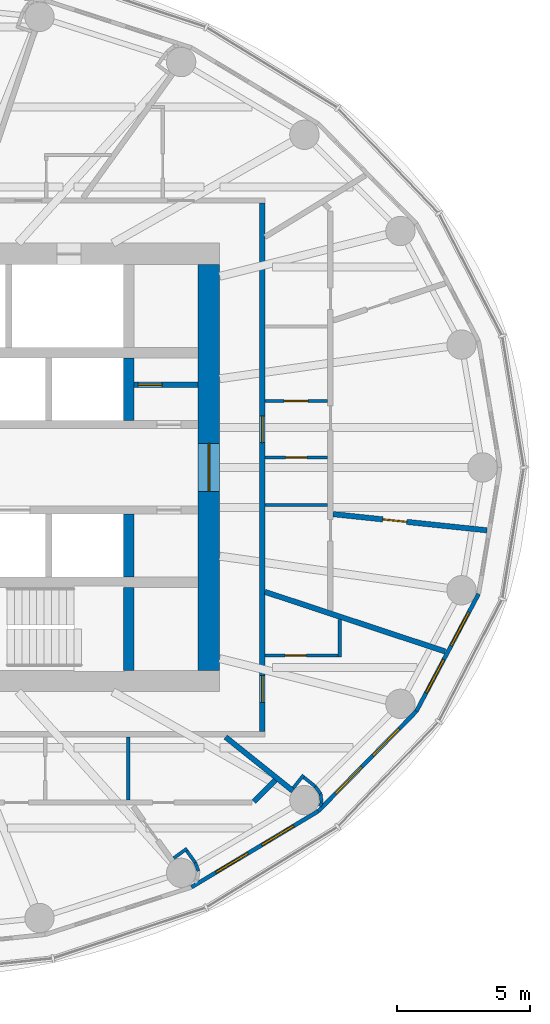
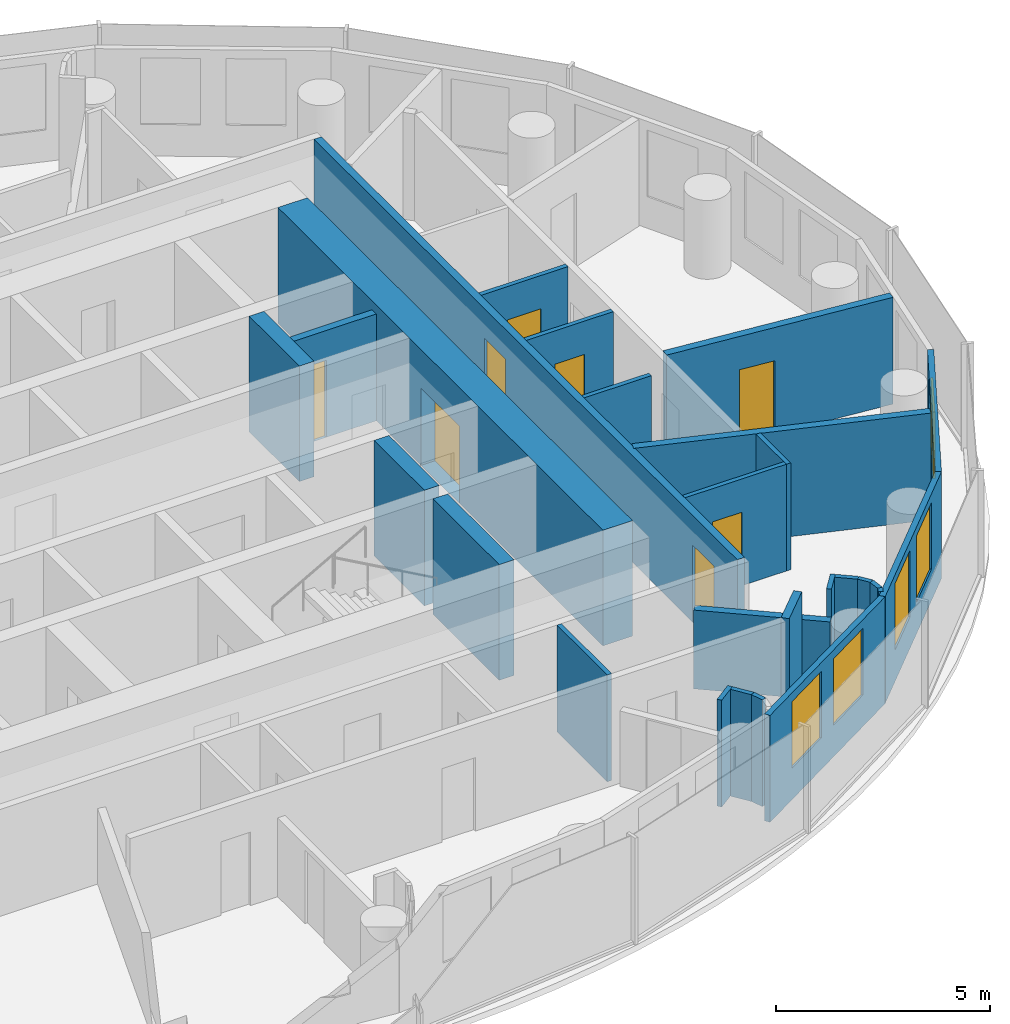
# One storey, part 10 of 14: 27 walls, 8 doors, 6 windows, 14 openings.
"""IFC4 building model written with IfcOpenShell, lengths in metres."""

from ifc_helpers import new_model, si_unit, direction, frame, frame_2d, origin, place, context, subcontext, project, spatial, rectangle, extrude, material, layer, layer_set, type_object, element, fill, save


model = new_model("IFC4")

# Units and contexts
model_context = context("Model", 3, precision=1e-05, world=origin(), true_north=direction((0.0, 1.0)))
body_context = subcontext(model_context, "Body", "Model", "MODEL_VIEW")
ifc_project = project(units=[si_unit("LENGTHUNIT", "METRE"), si_unit("AREAUNIT", "SQUARE_METRE"), si_unit("VOLUMEUNIT", "CUBIC_METRE"), si_unit("PLANEANGLEUNIT", "RADIAN"), si_unit("MASSUNIT", "GRAM", prefix="KILO")], contexts=[model_context])

# Site, building, storey
site_placement = place(None, origin())
site = spatial("IfcSite", under=ifc_project, at=site_placement, CompositionType="ELEMENT")
building_placement = place(site_placement, origin())
building = spatial("IfcBuilding", under=site, at=building_placement, Name="Hankou Lantern Tower", CompositionType="ELEMENT")
storey_placement = place(building_placement, frame((0.0, 0.0, 183.0)))
storey = spatial("IfcBuildingStorey", under=building, at=storey_placement, Name="L49", CompositionType="ELEMENT", Elevation=183.0)

# Wall, opening, door
ifc_material_1 = material(Name="Concrete C60", Category="concrete")
ifc_layer_1 = layer(ifc_material_1, 0.800048828125)
ifc_layer_set_1 = layer_set([ifc_layer_1], Name="Concrete C60")
wall_type_1 = type_object("IfcWallType", Name="CW2 CORE WALL 800", PredefinedType="SHEAR", material=ifc_layer_set_1)
wall_1_placement = place(storey_placement, frame((12.0, -7.60009765625, 0.0), z_axis=(0.0, 0.0, 1.0), x_axis=(0.0, 1.0, 0.0)))
wall_1 = element("IfcWall", 1, at=wall_1_placement, inside=storey, type_object=wall_type_1, Name="Core wall east L49", PredefinedType="SHEAR", context=body_context, shape_type="SweptSolid", body=[
    extrude(rectangle(XDim=15.2001953125, YDim=0.800048828125, at=frame_2d((7.60009765625, 0.0))), origin(), (0.0, 0.0, 1.0), 3.300048828125),
])
opening_1_placement = place(wall_1_placement, frame((6.699951171875, 0.0, 0.0)))
opening_1 = element("IfcOpeningElement", 2, at=opening_1_placement, cuts=wall_1, Name="Opening D6", PredefinedType="OPENING", context=body_context, shape_type="SweptSolid", body=[
    extrude(rectangle(XDim=1.800048828125, YDim=2.199951171875, at=frame_2d((0.89990234375, 1.10009765625))), frame((0.0, 0.409912109375, 0.0), z_axis=(0.0, -1.0, 0.0), x_axis=(1.0, 0.0, 0.0)), (0.0, 0.0, 1.0), 0.820068359375),
])
ifc_material_2 = material(Name="Steel door leaf", Category="steel")
door_type_1 = type_object("IfcDoorType", Name="D6 LIFT LOBBY DOOR 1800X2200", OperationType="DOUBLE_DOOR_DOUBLE_SWING", PredefinedType="DOOR", material=ifc_material_2)
door_1_placement = place(opening_1_placement, origin())
door_1 = element("IfcDoor", 3, at=door_1_placement, inside=storey, type_object=door_type_1, Name="Lift lobby east door", OperationType="DOUBLE_DOOR_DOUBLE_SWING", OverallHeight=2.199951171875, OverallWidth=1.800048828125, PredefinedType="DOOR", context=body_context, shape_type="SweptSolid", body=[
    extrude(rectangle(XDim=1.800048828125, YDim=2.199951171875, at=frame_2d((0.89990234375, 1.10009765625))), frame((0.0, 0.02490234375, 0.0), z_axis=(0.0, -1.0, 0.0), x_axis=(1.0, 0.0, 0.0)), (0.0, 0.0, 1.0), 0.050048828125),
])
fill(opening_1, door_1)

# Walls
ifc_material_3 = material(Name="Concrete C60", Category="concrete")
ifc_layer_2 = layer(ifc_material_3, 0.39990234375)
ifc_layer_set_2 = layer_set([ifc_layer_2], Name="Concrete C60")
wall_type_2 = type_object("IfcWallType", Name="CW4 CORE CROSS WALL 400", PredefinedType="SHEAR", material=ifc_layer_set_2)
for number, where, z_axis, x_axis, name in (
    (4, (9.0, 1.75, 0.0), (0.0, 0.0, 1.0), (0.0, 1.0, 0.0), "Core strip wall L49"),
    (5, (9.0, -4.10009765625, 0.0), (0.0, 0.0, 1.0), (0.0, 1.0, 0.0), "Core strip wall L49"),
):
    element("IfcWall", number, at=place(storey_placement, frame(where, z_axis=z_axis, x_axis=x_axis)), inside=storey, type_object=wall_type_2, Name=name, PredefinedType="SHEAR", context=body_context, shape_type="SweptSolid", body=[
        extrude(rectangle(XDim=2.35009765625, YDim=0.39990234375, at=frame_2d((1.175048828125, 0.0))), origin(), (0.0, 0.0, 1.0), 3.300048828125),
    ])
wall_2_placement = place(storey_placement, frame((9.0, -7.60009765625, 0.0), z_axis=(0.0, 0.0, 1.0), x_axis=(0.0, 1.0, 0.0)))
element("IfcWall", 6, at=wall_2_placement, inside=storey, type_object=wall_type_2, Name="Core strip wall L49", PredefinedType="SHEAR", context=body_context, shape_type="SweptSolid", body=[
    extrude(rectangle(XDim=3.10009765625, YDim=0.39990234375, at=frame_2d((1.550048828125, 0.0))), origin(), (0.0, 0.0, 1.0), 3.300048828125),
])

# Wall, openings, windows
ifc_material_4 = material(Name="Aluminium spandrel panel on steel studs", Category="steel")
ifc_layer_3 = layer(ifc_material_4, 0.14990234375)
ifc_layer_set_3 = layer_set([ifc_layer_3], Name="Aluminium spandrel panel on steel studs")
wall_type_3 = type_object("IfcWallType", Name="EW1 INNER SKIN WALL 150", PredefinedType="ELEMENTEDWALL", material=ifc_layer_set_3)
wall_3_placement = place(storey_placement, frame((11.346435546875, -15.72216796875, 0.0), z_axis=(0.0, 0.0, 1.0), x_axis=(0.857695199231, 0.514158482587, 0.0)))
wall_3 = element("IfcWall", 7, at=wall_3_placement, inside=storey, type_object=wall_type_3, Name="Inner skin R21-R22 L49", PredefinedType="ELEMENTEDWALL", context=body_context, shape_type="SweptSolid", body=[
    extrude(rectangle(XDim=5.5361328125, YDim=0.14990234375, at=frame_2d((2.76806640625, 0.0))), origin(), (0.0, 0.0, 1.0), 3.050048828125),
])
opening_2_placement = place(wall_3_placement, frame((1.068115234375, 0.0, 0.89990234375)))
opening_2 = element("IfcOpeningElement", 8, at=opening_2_placement, cuts=wall_3, Name="Opening W3", PredefinedType="OPENING", context=body_context, shape_type="SweptSolid", body=[
    extrude(rectangle(XDim=1.39990234375, YDim=1.89990234375, at=frame_2d((0.699951171875, 0.949951171875))), frame((0.0, 0.0849609375, 0.0), z_axis=(0.0, -1.0, 0.0), x_axis=(1.0, 0.0, 0.0)), (0.0, 0.0, 1.0), 0.169921875),
])
opening_3_placement = place(wall_3_placement, frame((3.068115234375, 0.0, 0.89990234375)))
opening_3 = element("IfcOpeningElement", 9, at=opening_3_placement, cuts=wall_3, Name="Opening W3", PredefinedType="OPENING", context=body_context, shape_type="SweptSolid", body=[
    extrude(rectangle(XDim=1.39990234375, YDim=1.89990234375, at=frame_2d((0.699951171875, 0.949951171875))), frame((0.0, 0.0849609375, 0.0), z_axis=(0.0, -1.0, 0.0), x_axis=(1.0, 0.0, 0.0)), (0.0, 0.0, 1.0), 0.169921875),
])
ifc_material_5 = material(Name="Aluminium framed double glazed window", Category="aluminium")
window_type = type_object("IfcWindowType", Name="W3 GUEST ROOM WINDOW 1400X1900", PartitioningType="DOUBLE_PANEL_VERTICAL", PredefinedType="WINDOW", material=ifc_material_5)
window_1_placement = place(opening_2_placement, origin())
window_1 = element("IfcWindow", 10, at=window_1_placement, inside=storey, type_object=window_type, Name="Window R21.1 L49", OverallHeight=1.89990234375, OverallWidth=1.39990234375, PartitioningType="SINGLE_PANEL", PredefinedType="WINDOW", context=body_context, shape_type="SweptSolid", body=[
    extrude(rectangle(XDim=1.39990234375, YDim=1.89990234375, at=frame_2d((0.699951171875, 0.949951171875))), frame((0.0, 0.030029296875, 0.0), z_axis=(0.0, -1.0, 0.0), x_axis=(1.0, 0.0, 0.0)), (0.0, 0.0, 1.0), 0.06005859375),
])
fill(opening_2, window_1)
window_2_placement = place(opening_3_placement, origin())
window_2 = element("IfcWindow", 11, at=window_2_placement, inside=storey, type_object=window_type, Name="Window R21.2 L49", OverallHeight=1.89990234375, OverallWidth=1.39990234375, PartitioningType="SINGLE_PANEL", PredefinedType="WINDOW", context=body_context, shape_type="SweptSolid", body=[
    extrude(rectangle(XDim=1.39990234375, YDim=1.89990234375, at=frame_2d((0.699951171875, 0.949951171875))), frame((0.0, 0.030029296875, 0.0), z_axis=(0.0, -1.0, 0.0), x_axis=(1.0, 0.0, 0.0)), (0.0, 0.0, 1.0), 0.06005859375),
])
fill(opening_3, window_2)

wall_4_placement = place(storey_placement, frame((16.0947265625, -12.875732421875, 0.0), z_axis=(0.0, 0.0, 1.0), x_axis=(0.700727467776, 0.71342905457, 0.0)))
wall_4 = element("IfcWall", 12, at=wall_4_placement, inside=storey, type_object=wall_type_3, Name="Inner skin R22-R23 L49", PredefinedType="ELEMENTEDWALL", context=body_context, shape_type="SweptSolid", body=[
    extrude(rectangle(XDim=5.247314453125, YDim=0.14990234375, at=frame_2d((2.62353515625, 0.0))), origin(), (0.0, 0.0, 1.0), 3.050048828125),
])
opening_4_placement = place(wall_4_placement, frame((0.923583984375, 0.0, 0.89990234375)))
opening_4 = element("IfcOpeningElement", 13, at=opening_4_placement, cuts=wall_4, Name="Opening W3", PredefinedType="OPENING", context=body_context, shape_type="SweptSolid", body=[
    extrude(rectangle(XDim=1.39990234375, YDim=1.89990234375, at=frame_2d((0.699951171875, 0.949951171875))), frame((0.0, 0.0849609375, 0.0), z_axis=(0.0, -1.0, 0.0), x_axis=(1.0, 0.0, 0.0)), (0.0, 0.0, 1.0), 0.169921875),
])
opening_5_placement = place(wall_4_placement, frame((2.923583984375, 0.0, 0.89990234375)))
opening_5 = element("IfcOpeningElement", 14, at=opening_5_placement, cuts=wall_4, Name="Opening W3", PredefinedType="OPENING", context=body_context, shape_type="SweptSolid", body=[
    extrude(rectangle(XDim=1.39990234375, YDim=1.89990234375, at=frame_2d((0.699951171875, 0.949951171875))), frame((0.0, 0.0849609375, 0.0), z_axis=(0.0, -1.0, 0.0), x_axis=(1.0, 0.0, 0.0)), (0.0, 0.0, 1.0), 0.169921875),
])
window_3_placement = place(opening_4_placement, origin())
window_3 = element("IfcWindow", 15, at=window_3_placement, inside=storey, type_object=window_type, Name="Window R22.1 L49", OverallHeight=1.89990234375, OverallWidth=1.39990234375, PartitioningType="SINGLE_PANEL", PredefinedType="WINDOW", context=body_context, shape_type="SweptSolid", body=[
    extrude(rectangle(XDim=1.39990234375, YDim=1.89990234375, at=frame_2d((0.699951171875, 0.949951171875))), frame((0.0, 0.030029296875, 0.0), z_axis=(0.0, -1.0, 0.0), x_axis=(1.0, 0.0, 0.0)), (0.0, 0.0, 1.0), 0.06005859375),
])
fill(opening_4, window_3)
window_4_placement = place(opening_5_placement, origin())
window_4 = element("IfcWindow", 16, at=window_4_placement, inside=storey, type_object=window_type, Name="Window R22.2 L49", OverallHeight=1.89990234375, OverallWidth=1.39990234375, PartitioningType="SINGLE_PANEL", PredefinedType="WINDOW", context=body_context, shape_type="SweptSolid", body=[
    extrude(rectangle(XDim=1.39990234375, YDim=1.89990234375, at=frame_2d((0.699951171875, 0.949951171875))), frame((0.0, 0.030029296875, 0.0), z_axis=(0.0, -1.0, 0.0), x_axis=(1.0, 0.0, 0.0)), (0.0, 0.0, 1.0), 0.06005859375),
])
fill(opening_5, window_4)

wall_5_placement = place(storey_placement, frame((19.771728515625, -9.132080078125, 0.0), z_axis=(0.0, 0.0, 1.0), x_axis=(0.468428906714, 0.883501193748, 0.0)))
wall_5 = element("IfcWall", 17, at=wall_5_placement, inside=storey, type_object=wall_type_3, Name="Inner skin R23-R24 L49", PredefinedType="ELEMENTEDWALL", context=body_context, shape_type="SweptSolid", body=[
    extrude(rectangle(XDim=4.9736328125, YDim=0.14990234375, at=frame_2d((2.48681640625, 0.0))), origin(), (0.0, 0.0, 1.0), 3.050048828125),
])
opening_6_placement = place(wall_5_placement, frame((0.786865234375, 0.0, 0.89990234375)))
opening_6 = element("IfcOpeningElement", 18, at=opening_6_placement, cuts=wall_5, Name="Opening W3", PredefinedType="OPENING", context=body_context, shape_type="SweptSolid", body=[
    extrude(rectangle(XDim=1.39990234375, YDim=1.89990234375, at=frame_2d((0.699951171875, 0.949951171875))), frame((0.0, 0.0849609375, 0.0), z_axis=(0.0, -1.0, 0.0), x_axis=(1.0, 0.0, 0.0)), (0.0, 0.0, 1.0), 0.169921875),
])
opening_7_placement = place(wall_5_placement, frame((2.786865234375, 0.0, 0.89990234375)))
opening_7 = element("IfcOpeningElement", 19, at=opening_7_placement, cuts=wall_5, Name="Opening W3", PredefinedType="OPENING", context=body_context, shape_type="SweptSolid", body=[
    extrude(rectangle(XDim=1.39990234375, YDim=1.89990234375, at=frame_2d((0.699951171875, 0.949951171875))), frame((0.0, 0.0849609375, 0.0), z_axis=(0.0, -1.0, 0.0), x_axis=(1.0, 0.0, 0.0)), (0.0, 0.0, 1.0), 0.169921875),
])
window_5_placement = place(opening_6_placement, origin())
window_5 = element("IfcWindow", 20, at=window_5_placement, inside=storey, type_object=window_type, Name="Window R23.1 L49", OverallHeight=1.89990234375, OverallWidth=1.39990234375, PartitioningType="SINGLE_PANEL", PredefinedType="WINDOW", context=body_context, shape_type="SweptSolid", body=[
    extrude(rectangle(XDim=1.39990234375, YDim=1.89990234375, at=frame_2d((0.699951171875, 0.949951171875))), frame((0.0, 0.030029296875, 0.0), z_axis=(0.0, -1.0, 0.0), x_axis=(1.0, 0.0, 0.0)), (0.0, 0.0, 1.0), 0.06005859375),
])
fill(opening_6, window_5)
window_6_placement = place(opening_7_placement, origin())
window_6 = element("IfcWindow", 21, at=window_6_placement, inside=storey, type_object=window_type, Name="Window R23.2 L49", OverallHeight=1.89990234375, OverallWidth=1.39990234375, PartitioningType="SINGLE_PANEL", PredefinedType="WINDOW", context=body_context, shape_type="SweptSolid", body=[
    extrude(rectangle(XDim=1.39990234375, YDim=1.89990234375, at=frame_2d((0.699951171875, 0.949951171875))), frame((0.0, 0.030029296875, 0.0), z_axis=(0.0, -1.0, 0.0), x_axis=(1.0, 0.0, 0.0)), (0.0, 0.0, 1.0), 0.06005859375),
])
fill(opening_7, window_6)

# Walls
ifc_material_6 = material(Name="Masonry lightweight concrete block", Category="masonry")
ifc_layer_4 = layer(ifc_material_6, 0.199951171875)
ifc_layer_set_4 = layer_set([ifc_layer_4], Name="Masonry lightweight concrete block")
wall_type_4 = type_object("IfcWallType", Name="IW1 GUEST ROOM PARTY WALL 200", PredefinedType="PARTITIONING", material=ifc_layer_set_4)
wall_6_placement = place(storey_placement, frame((12.625, -10.10009765625, 0.0), z_axis=(0.0, 0.0, 1.0), x_axis=(0.780876185034, -0.624685827954, 0.0)))
element("IfcWall", 22, at=wall_6_placement, inside=storey, type_object=wall_type_4, Name="Party wall R22", PredefinedType="PARTITIONING", context=body_context, shape_type="SweptSolid", body=[
    extrude(rectangle(XDim=3.229248046875, YDim=0.199951171875, at=frame_2d((1.61474609375, 0.0))), origin(), (0.0, 0.0, 1.0), 2.25),
])
wall_7_placement = place(storey_placement, frame((14.10009765625, -4.661376953125, 0.0), z_axis=(0.0, 0.0, 1.0), x_axis=(0.949453216399, -0.313908569285, 0.0)))
element("IfcWall", 23, at=wall_7_placement, inside=storey, type_object=wall_type_4, Name="Party wall R23-R24", PredefinedType="PARTITIONING", context=body_context, shape_type="SweptSolid", body=[
    extrude(rectangle(XDim=7.108642578125, YDim=0.199951171875, at=frame_2d((3.55419921875, 0.0))), origin(), (0.0, 0.0, 1.0), 3.050048828125),
])

# Wall, openings, doors
ifc_material_7 = material(Name="Masonry lightweight concrete block", Category="masonry")
ifc_layer_5 = layer(ifc_material_7, 0.199951171875)
ifc_layer_set_5 = layer_set([ifc_layer_5], Name="Masonry lightweight concrete block")
wall_type_5 = type_object("IfcWallType", Name="IW2 CORRIDOR WALL 200", PredefinedType="PARTITIONING", material=ifc_layer_set_5)
wall_8_placement = place(storey_placement, frame((14.0, -9.89990234375, 0.0), z_axis=(0.0, 0.0, 1.0), x_axis=(0.0, 1.0, 0.0)))
wall_8 = element("IfcWall", 24, at=wall_8_placement, inside=storey, type_object=wall_type_5, Name="Corridor wall east", PredefinedType="PARTITIONING", context=body_context, shape_type="SweptSolid", body=[
    extrude(rectangle(XDim=19.7998046875, YDim=0.199951171875, at=frame_2d((9.89990234375, 0.0))), origin(), (0.0, 0.0, 1.0), 3.050048828125),
])
opening_8_placement = place(wall_8_placement, frame((1.10009765625, 0.0, 0.0)))
opening_8 = element("IfcOpeningElement", 25, at=opening_8_placement, cuts=wall_8, Name="Opening D1", PredefinedType="OPENING", context=body_context, shape_type="SweptSolid", body=[
    extrude(rectangle(XDim=1.0, YDim=2.199951171875, at=frame_2d((0.5, 1.10009765625))), frame((0.0, 0.10986328125, 0.0), z_axis=(0.0, -1.0, 0.0), x_axis=(1.0, 0.0, 0.0)), (0.0, 0.0, 1.0), 0.219970703125),
])
opening_9_placement = place(wall_8_placement, frame((10.831787109375, 0.0, 0.0)))
opening_9 = element("IfcOpeningElement", 26, at=opening_9_placement, cuts=wall_8, Name="Opening D2", PredefinedType="OPENING", context=body_context, shape_type="SweptSolid", body=[
    extrude(rectangle(XDim=1.0, YDim=2.199951171875, at=frame_2d((0.5, 1.10009765625))), frame((0.0, 0.10986328125, 0.0), z_axis=(0.0, -1.0, 0.0), x_axis=(1.0, 0.0, 0.0)), (0.0, 0.0, 1.0), 0.219970703125),
])
ifc_material_8 = material(Name="Steel door leaf", Category="steel")
door_type_2 = type_object("IfcDoorType", Name="D1 GUEST ROOM DOOR 1000X2200", OperationType="SINGLE_SWING_LEFT", PredefinedType="DOOR", material=ifc_material_8)
door_2_placement = place(opening_8_placement, origin())
door_2 = element("IfcDoor", 27, at=door_2_placement, inside=storey, type_object=door_type_2, Name="Guest room door 4904", OperationType="SINGLE_SWING_LEFT", OverallHeight=2.199951171875, OverallWidth=1.0, PredefinedType="DOOR", context=body_context, shape_type="SweptSolid", body=[
    extrude(rectangle(XDim=1.0, YDim=2.199951171875, at=frame_2d((0.5, 1.10009765625))), frame((0.0, 0.02490234375, 0.0), z_axis=(0.0, -1.0, 0.0), x_axis=(1.0, 0.0, 0.0)), (0.0, 0.0, 1.0), 0.050048828125),
])
fill(opening_8, door_2)
ifc_material_9 = material(Name="Steel door leaf", Category="steel")
door_type_3 = type_object("IfcDoorType", Name="D2 SUITE DOOR 1000X2200", OperationType="SINGLE_SWING_LEFT", PredefinedType="DOOR", material=ifc_material_9)
door_3_placement = place(opening_9_placement, origin())
door_3 = element("IfcDoor", 28, at=door_3_placement, inside=storey, type_object=door_type_3, Name="Suite door 4905", OperationType="SINGLE_SWING_RIGHT", OverallHeight=2.199951171875, OverallWidth=1.0, PredefinedType="DOOR", context=body_context, shape_type="SweptSolid", body=[
    extrude(rectangle(XDim=1.0, YDim=2.199951171875, at=frame_2d((0.5, 1.10009765625))), frame((0.0, 0.02490234375, 0.0), z_axis=(0.0, -1.0, 0.0), x_axis=(1.0, 0.0, 0.0)), (0.0, 0.0, 1.0), 0.050048828125),
])
fill(opening_9, door_3)

# Walls
ifc_material_10 = material(Name="Masonry lightweight concrete block", Category="masonry")
ifc_layer_6 = layer(ifc_material_10, 0.1201171875)
ifc_layer_set_6 = layer_set([ifc_layer_6], Name="Masonry lightweight concrete block")
wall_type_6 = type_object("IfcWallType", Name="IW3 BATHROOM WALL 120", PredefinedType="PARTITIONING", material=ifc_layer_set_6)
wall_9_placement = place(storey_placement, frame((8.9765625, -10.10009765625, 0.0), z_axis=(0.0, 0.0, 1.0), x_axis=(0.0, -1.0, 0.0)))
element("IfcWall", 29, at=wall_9_placement, inside=storey, type_object=wall_type_6, Name="Box wall 4903 4", PredefinedType="PARTITIONING", context=body_context, shape_type="SweptSolid", body=[
    extrude(rectangle(XDim=2.349853515625, YDim=0.1201171875, at=frame_2d((1.1748046875, 0.0))), origin(), (0.0, 0.0, 1.0), 3.050048828125),
])
wall_10_placement = place(storey_placement, frame((16.89990234375, -5.687255859375, 0.0), z_axis=(0.0, 0.0, 1.0), x_axis=(0.0, -1.0, 0.0)))
element("IfcWall", 30, at=wall_10_placement, inside=storey, type_object=wall_type_6, Name="Box wall 4904 1", PredefinedType="PARTITIONING", context=body_context, shape_type="SweptSolid", body=[
    extrude(rectangle(XDim=1.414306640625, YDim=0.1201171875, at=frame_2d((0.70703125, 0.0))), origin(), (0.0, 0.0, 1.0), 3.050048828125),
])

# Wall, opening, door
wall_11_placement = place(storey_placement, frame((14.10009765625, -7.04150390625, 0.0), z_axis=(0.0, 0.0, 1.0), x_axis=(1.0, 0.0, 0.0)))
wall_11 = element("IfcWall", 31, at=wall_11_placement, inside=storey, type_object=wall_type_6, Name="Box wall 4904 1", PredefinedType="PARTITIONING", context=body_context, shape_type="SweptSolid", body=[
    extrude(rectangle(XDim=2.739990234375, YDim=0.1201171875, at=frame_2d((1.3701171875, 0.0))), origin(), (0.0, 0.0, 1.0), 3.050048828125),
])
opening_10_placement = place(wall_11_placement, frame((0.75, 0.0, 0.0)))
opening_10 = element("IfcOpeningElement", 32, at=opening_10_placement, cuts=wall_11, Name="Opening D3", PredefinedType="OPENING", context=body_context, shape_type="SweptSolid", body=[
    extrude(rectangle(XDim=0.800048828125, YDim=2.10009765625, at=frame_2d((0.39990234375, 1.050048828125))), frame((0.0, 0.070068359375, 0.0), z_axis=(0.0, -1.0, 0.0), x_axis=(1.0, 0.0, 0.0)), (0.0, 0.0, 1.0), 0.14013671875),
])
ifc_material_11 = material(Name="Timber door leaf", Category="wood")
door_type_4 = type_object("IfcDoorType", Name="D3 BATHROOM DOOR 800X2100", OperationType="SINGLE_SWING_LEFT", PredefinedType="DOOR", material=ifc_material_11)
door_4_placement = place(opening_10_placement, origin())
door_4 = element("IfcDoor", 33, at=door_4_placement, inside=storey, type_object=door_type_4, Name="En-suite bathroom 4904 door", OperationType="SINGLE_SWING_LEFT", OverallHeight=2.10009765625, OverallWidth=0.800048828125, PredefinedType="DOOR", context=body_context, shape_type="SweptSolid", body=[
    extrude(rectangle(XDim=0.800048828125, YDim=2.10009765625, at=frame_2d((0.39990234375, 1.050048828125))), frame((0.0, 0.02490234375, 0.0), z_axis=(0.0, -1.0, 0.0), x_axis=(1.0, 0.0, 0.0)), (0.0, 0.0, 1.0), 0.050048828125),
])
fill(opening_10, door_4)

# Wall
wall_12_placement = place(storey_placement, frame((14.10009765625, -1.406982421875, 0.0), z_axis=(0.0, 0.0, 1.0), x_axis=(1.0, 0.0, 0.0)))
element("IfcWall", 34, at=wall_12_placement, inside=storey, type_object=wall_type_6, Name="Box wall 4905 1", PredefinedType="PARTITIONING", context=body_context, shape_type="SweptSolid", body=[
    extrude(rectangle(XDim=2.349853515625, YDim=0.1201171875, at=frame_2d((1.1748046875, 0.0))), origin(), (0.0, 0.0, 1.0), 2.300048828125),
])

# Wall, opening, door
wall_13_placement = place(storey_placement, frame((14.10009765625, 0.37158203125, 0.0), z_axis=(0.0, 0.0, 1.0), x_axis=(1.0, 0.0, 0.0)))
wall_13 = element("IfcWall", 35, at=wall_13_placement, inside=storey, type_object=wall_type_6, Name="Box wall 4905 2", PredefinedType="PARTITIONING", context=body_context, shape_type="SweptSolid", body=[
    extrude(rectangle(XDim=2.349853515625, YDim=0.1201171875, at=frame_2d((1.1748046875, 0.0))), origin(), (0.0, 0.0, 1.0), 3.050048828125),
])
opening_11_placement = place(wall_13_placement, frame((0.77001953125, 0.0, 0.0)))
opening_11 = element("IfcOpeningElement", 36, at=opening_11_placement, cuts=wall_13, Name="Opening D3", PredefinedType="OPENING", context=body_context, shape_type="SweptSolid", body=[
    extrude(rectangle(XDim=0.800048828125, YDim=2.10009765625, at=frame_2d((0.39990234375, 1.050048828125))), frame((0.0, 0.070068359375, 0.0), z_axis=(0.0, -1.0, 0.0), x_axis=(1.0, 0.0, 0.0)), (0.0, 0.0, 1.0), 0.14013671875),
])
door_5_placement = place(opening_11_placement, origin())
door_5 = element("IfcDoor", 37, at=door_5_placement, inside=storey, type_object=door_type_4, Name="Family suite 4905 guest WC door", OperationType="SINGLE_SWING_LEFT", OverallHeight=2.10009765625, OverallWidth=0.800048828125, PredefinedType="DOOR", context=body_context, shape_type="SweptSolid", body=[
    extrude(rectangle(XDim=0.800048828125, YDim=2.10009765625, at=frame_2d((0.39990234375, 1.050048828125))), frame((0.0, 0.02490234375, 0.0), z_axis=(0.0, -1.0, 0.0), x_axis=(1.0, 0.0, 0.0)), (0.0, 0.0, 1.0), 0.050048828125),
])
fill(opening_11, door_5)

wall_14_placement = place(storey_placement, frame((14.10009765625, 2.49169921875, 0.0), z_axis=(0.0, 0.0, 1.0), x_axis=(1.0, 0.0, 0.0)))
wall_14 = element("IfcWall", 38, at=wall_14_placement, inside=storey, type_object=wall_type_6, Name="Box wall 4905 3", PredefinedType="PARTITIONING", context=body_context, shape_type="SweptSolid", body=[
    extrude(rectangle(XDim=2.349853515625, YDim=0.1201171875, at=frame_2d((1.1748046875, 0.0))), origin(), (0.0, 0.0, 1.0), 3.050048828125),
])
opening_12_placement = place(wall_14_placement, frame((0.719970703125, 0.0, 0.0)))
opening_12 = element("IfcOpeningElement", 39, at=opening_12_placement, cuts=wall_14, Name="Opening D27", PredefinedType="OPENING", context=body_context, shape_type="SweptSolid", body=[
    extrude(rectangle(XDim=0.89990234375, YDim=2.10009765625, at=frame_2d((0.449951171875, 1.050048828125))), frame((0.0, 0.070068359375, 0.0), z_axis=(0.0, -1.0, 0.0), x_axis=(1.0, 0.0, 0.0)), (0.0, 0.0, 1.0), 0.14013671875),
])
ifc_material_12 = material(Name="Timber door leaf", Category="wood")
door_type_5 = type_object("IfcDoorType", Name="D27 INTERNAL DOOR 900X2100", OperationType="SINGLE_SWING_LEFT", PredefinedType="DOOR", material=ifc_material_12)
door_6_placement = place(opening_12_placement, origin())
door_6 = element("IfcDoor", 40, at=door_6_placement, inside=storey, type_object=door_type_5, Name="Family suite 4905 walk-in wardrobe door", OperationType="SINGLE_SWING_LEFT", OverallHeight=2.10009765625, OverallWidth=0.89990234375, PredefinedType="DOOR", context=body_context, shape_type="SweptSolid", body=[
    extrude(rectangle(XDim=0.89990234375, YDim=2.10009765625, at=frame_2d((0.449951171875, 1.050048828125))), frame((0.0, 0.02490234375, 0.0), z_axis=(0.0, -1.0, 0.0), x_axis=(1.0, 0.0, 0.0)), (0.0, 0.0, 1.0), 0.050048828125),
])
fill(opening_12, door_6)

# Walls
ifc_material_13 = material(Name="Masonry lightweight concrete block", Category="masonry")
ifc_layer_7 = layer(ifc_material_13, 0.1201171875)
ifc_layer_set_7 = layer_set([ifc_layer_7], Name="Masonry lightweight concrete block")
wall_type_7 = type_object("IfcWallType", Name="IW4 PARTITION 120", PredefinedType="PARTITIONING", material=ifc_layer_set_7)
wall_15_placement = place(storey_placement, frame((10.683837890625, -14.633056640625, 0.0), z_axis=(0.0, 0.0, 1.0), x_axis=(0.810921075692, 0.585155542568, 0.0)))
element("IfcWall", 41, at=wall_15_placement, inside=storey, type_object=wall_type_7, Name="Column casing R21 return", PredefinedType="PARTITIONING", context=body_context, shape_type="SweptSolid", body=[
    extrude(rectangle(XDim=0.612060546875, YDim=0.1201171875, at=frame_2d((0.30615234375, 0.0))), origin(), (0.0, 0.0, 1.0), 3.050048828125),
])
wall_16_placement = place(storey_placement, frame((11.166748046875, -14.358642578125, 0.0), z_axis=(0.0, 0.0, 1.0), x_axis=(0.585263549799, -0.810843127415, 0.0)))
element("IfcWall", 42, at=wall_16_placement, inside=storey, type_object=wall_type_7, Name="Column casing R21", PredefinedType="PARTITIONING", context=body_context, shape_type="SweptSolid", body=[
    extrude(rectangle(XDim=0.5498046875, YDim=0.1201171875, at=frame_2d((0.27490234375, 0.0))), origin(), (0.0, 0.0, 1.0), 3.050048828125),
])
wall_17_placement = place(storey_placement, frame((11.488525390625, -14.804443359375, 0.0), z_axis=(0.0, 0.0, 1.0), x_axis=(0.355634599475, -0.934625075448, 0.0)))
element("IfcWall", 43, at=wall_17_placement, inside=storey, type_object=wall_type_7, Name="Column casing R21", PredefinedType="PARTITIONING", context=body_context, shape_type="SweptSolid", body=[
    extrude(rectangle(XDim=0.337646484375, YDim=0.1201171875, at=frame_2d((0.1689453125, 0.0))), origin(), (0.0, 0.0, 1.0), 3.050048828125),
])
wall_18_placement = place(storey_placement, frame((15.162353515625, -12.001708984375, 0.0), z_axis=(0.0, 0.0, 1.0), x_axis=(0.624597762427, 0.780946627607, 0.0)))
element("IfcWall", 44, at=wall_18_placement, inside=storey, type_object=wall_type_7, Name="Column casing R22 return", PredefinedType="PARTITIONING", context=body_context, shape_type="SweptSolid", body=[
    extrude(rectangle(XDim=0.612060546875, YDim=0.1201171875, at=frame_2d((0.30615234375, 0.0))), origin(), (0.0, 0.0, 1.0), 3.050048828125),
])
wall_19_placement = place(storey_placement, frame((15.55419921875, -11.60791015625, 0.0), z_axis=(0.0, 0.0, 1.0), x_axis=(0.780695577787, -0.624911525597, 0.0)))
element("IfcWall", 45, at=wall_19_placement, inside=storey, type_object=wall_type_7, Name="Column casing R22", PredefinedType="PARTITIONING", context=body_context, shape_type="SweptSolid", body=[
    extrude(rectangle(XDim=0.550048828125, YDim=0.1201171875, at=frame_2d((0.27490234375, 0.0))), origin(), (0.0, 0.0, 1.0), 3.050048828125),
])
wall_20_placement = place(storey_placement, frame((15.983642578125, -11.95166015625, 0.0), z_axis=(0.0, 0.0, 1.0), x_axis=(0.592335221171, -0.805691619517, 0.0)))
element("IfcWall", 46, at=wall_20_placement, inside=storey, type_object=wall_type_7, Name="Column casing R22", PredefinedType="PARTITIONING", context=body_context, shape_type="SweptSolid", body=[
    extrude(rectangle(XDim=0.337646484375, YDim=0.1201171875, at=frame_2d((0.1689453125, 0.0))), origin(), (0.0, 0.0, 1.0), 3.050048828125),
])
wall_21_placement = place(storey_placement, frame((16.18359375, -12.2236328125, 0.0), z_axis=(0.0, 0.0, 1.0), x_axis=(0.110669692975, -0.993857242795, 0.0)))
element("IfcWall", 47, at=wall_21_placement, inside=storey, type_object=wall_type_7, Name="Column casing R22", PredefinedType="PARTITIONING", context=body_context, shape_type="SweptSolid", body=[
    extrude(rectangle(XDim=0.33740234375, YDim=0.1201171875, at=frame_2d((0.168701171875, 0.0))), origin(), (0.0, 0.0, 1.0), 3.050048828125),
])
wall_22_placement = place(storey_placement, frame((16.220947265625, -12.55908203125, 0.0), z_axis=(0.0, 0.0, 1.0), x_axis=(-0.401064416249, -0.916049853457, 0.0)))
element("IfcWall", 48, at=wall_22_placement, inside=storey, type_object=wall_type_7, Name="Column casing R22", PredefinedType="PARTITIONING", context=body_context, shape_type="SweptSolid", body=[
    extrude(rectangle(XDim=0.156494140625, YDim=0.1201171875, at=frame_2d((0.078125, 0.0))), origin(), (0.0, 0.0, 1.0), 3.050048828125),
])
ifc_material_14 = material(Name="Masonry lightweight concrete block", Category="masonry")
ifc_layer_8 = layer(ifc_material_14, 0.199951171875)
ifc_layer_set_8 = layer_set([ifc_layer_8], Name="Masonry lightweight concrete block")
wall_type_8 = type_object("IfcWallType", Name="IW6 SUITE PARTITION 200", PredefinedType="PARTITIONING", material=ifc_layer_set_8)
wall_23_placement = place(storey_placement, frame((13.67919921875, -12.520751953125, 0.0), z_axis=(0.0, 0.0, 1.0), x_axis=(0.707106781187, 0.707106781187, 0.0)))
element("IfcWall", 49, at=wall_23_placement, inside=storey, type_object=wall_type_8, Name="Suite foyer wall 4903", PredefinedType="PARTITIONING", context=body_context, shape_type="SweptSolid", body=[
    extrude(rectangle(XDim=1.1376953125, YDim=0.199951171875, at=frame_2d((0.56884765625, 0.0))), origin(), (0.0, 0.0, 1.0), 3.050048828125),
])

# Wall, opening, door
wall_24_placement = place(storey_placement, frame((16.64990234375, -1.74951171875, 0.0), z_axis=(0.0, 0.0, 1.0), x_axis=(0.994527351734, -0.104476536379, 0.0)))
wall_24 = element("IfcWall", 50, at=wall_24_placement, inside=storey, type_object=wall_type_8, Name="Suite partition R24-R01", PredefinedType="PARTITIONING", context=body_context, shape_type="SweptSolid", body=[
    extrude(rectangle(XDim=5.797607421875, YDim=0.199951171875, at=frame_2d((2.89892578125, 0.0))), origin(), (0.0, 0.0, 1.0), 3.050048828125),
])
opening_13_placement = place(wall_24_placement, frame((1.8701171875, 0.0, 0.0)))
opening_13 = element("IfcOpeningElement", 51, at=opening_13_placement, cuts=wall_24, Name="Opening D27", PredefinedType="OPENING", context=body_context, shape_type="SweptSolid", body=[
    extrude(rectangle(XDim=0.89990234375, YDim=2.10009765625, at=frame_2d((0.449951171875, 1.050048828125))), frame((0.0, 0.10986328125, 0.0), z_axis=(0.0, -1.0, 0.0), x_axis=(1.0, 0.0, 0.0)), (0.0, 0.0, 1.0), 0.219970703125),
])
door_7_placement = place(opening_13_placement, origin())
door_7 = element("IfcDoor", 52, at=door_7_placement, inside=storey, type_object=door_type_5, Name="Family suite 4905 bedroom door", OperationType="SINGLE_SWING_LEFT", OverallHeight=2.10009765625, OverallWidth=0.89990234375, PredefinedType="DOOR", context=body_context, shape_type="SweptSolid", body=[
    extrude(rectangle(XDim=0.89990234375, YDim=2.10009765625, at=frame_2d((0.449951171875, 1.050048828125))), frame((0.0, 0.02490234375, 0.0), z_axis=(0.0, -1.0, 0.0), x_axis=(1.0, 0.0, 0.0)), (0.0, 0.0, 1.0), 0.050048828125),
])
fill(opening_13, door_7)

ifc_material_15 = material(Name="Masonry lightweight concrete block", Category="masonry")
ifc_layer_9 = layer(ifc_material_15, 0.199951171875)
ifc_layer_set_9 = layer_set([ifc_layer_9], Name="Masonry lightweight concrete block")
wall_type_9 = type_object("IfcWallType", Name="IW8 PARTITION 200", PredefinedType="PARTITIONING", material=ifc_layer_set_9)
wall_25_placement = place(storey_placement, frame((9.199951171875, 3.10009765625, 0.0), z_axis=(0.0, 0.0, 1.0), x_axis=(1.0, 0.0, 0.0)))
wall_25 = element("IfcWall", 53, at=wall_25_placement, inside=storey, type_object=wall_type_9, Name="Partition room service pantry", PredefinedType="PARTITIONING", context=body_context, shape_type="SweptSolid", body=[
    extrude(rectangle(XDim=2.400146484375, YDim=0.199951171875, at=frame_2d((1.2001953125, 0.0))), origin(), (0.0, 0.0, 1.0), 3.050048828125),
])
opening_14_placement = place(wall_25_placement, frame((0.14990234375, 0.0, 0.0)))
opening_14 = element("IfcOpeningElement", 54, at=opening_14_placement, cuts=wall_25, Name="Opening D12", PredefinedType="OPENING", context=body_context, shape_type="SweptSolid", body=[
    extrude(rectangle(XDim=0.89990234375, YDim=2.199951171875, at=frame_2d((0.449951171875, 1.10009765625))), frame((0.0, 0.10986328125, 0.0), z_axis=(0.0, -1.0, 0.0), x_axis=(1.0, 0.0, 0.0)), (0.0, 0.0, 1.0), 0.219970703125),
])
ifc_material_16 = material(Name="Steel door leaf", Category="steel")
door_type_6 = type_object("IfcDoorType", Name="D12 STORE DOOR 900X2200", OperationType="SINGLE_SWING_LEFT", PredefinedType="DOOR", material=ifc_material_16)
door_8_placement = place(opening_14_placement, origin())
door_8 = element("IfcDoor", 55, at=door_8_placement, inside=storey, type_object=door_type_6, Name="Room service cupboard door", OperationType="SINGLE_SWING_LEFT", OverallHeight=2.199951171875, OverallWidth=0.89990234375, PredefinedType="DOOR", context=body_context, shape_type="SweptSolid", body=[
    extrude(rectangle(XDim=0.89990234375, YDim=2.199951171875, at=frame_2d((0.449951171875, 1.10009765625))), frame((0.0, 0.02490234375, 0.0), z_axis=(0.0, -1.0, 0.0), x_axis=(1.0, 0.0, 0.0)), (0.0, 0.0, 1.0), 0.050048828125),
])
fill(opening_14, door_8)

save(model, "model.ifc")
